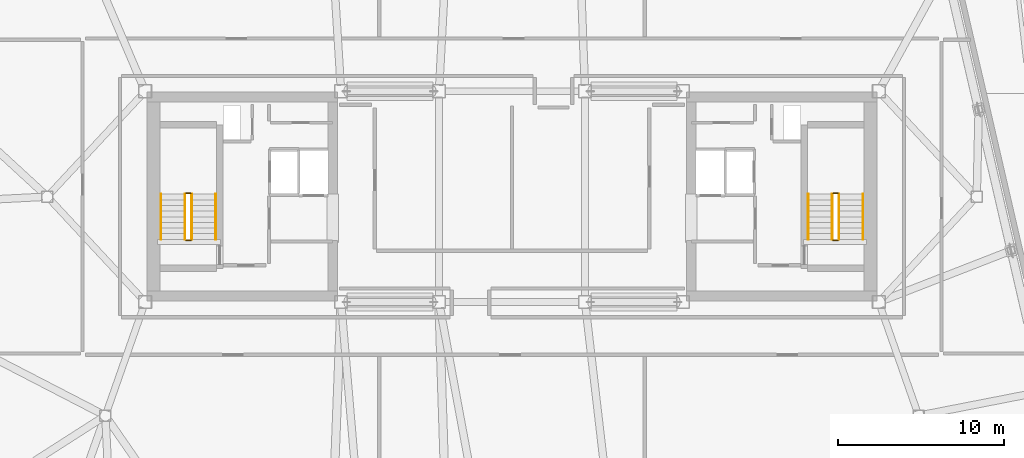
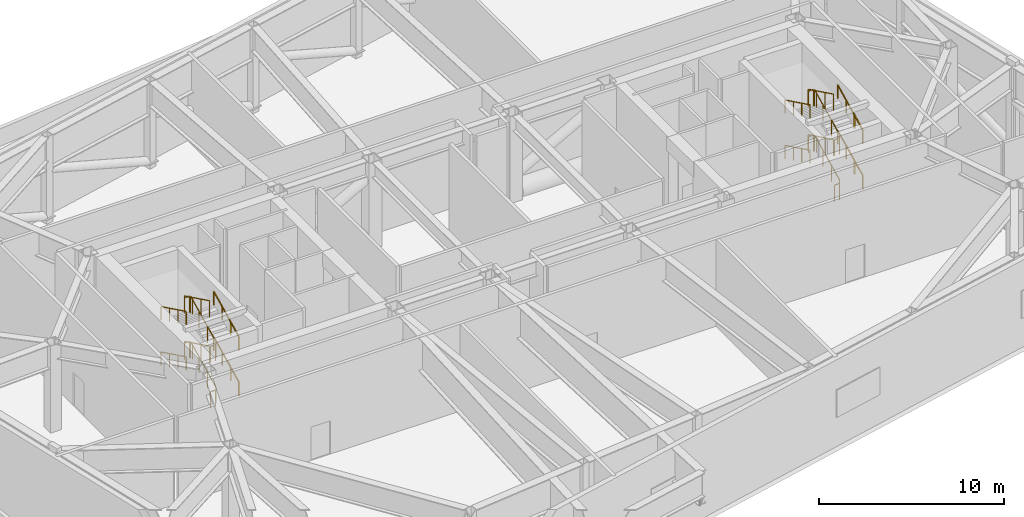
# One storey, part 15 of 15: 24 railings.
"""IFC4 building model written with IfcOpenShell, lengths in metres."""

from ifc_helpers import new_model, si_unit, direction, frame, origin, origin_2d, place, context, subcontext, project, spatial, rectangle, extrude, material, layer, layer_set, type_object, element, save


model = new_model("IFC4")

# Units and contexts
model_context = context("Model", 3, precision=1e-05, world=origin(), true_north=direction((0.0, 1.0)))
body_context = subcontext(model_context, "Body", "Model", "MODEL_VIEW")
ifc_project = project(units=[si_unit("LENGTHUNIT", "METRE"), si_unit("AREAUNIT", "SQUARE_METRE"), si_unit("VOLUMEUNIT", "CUBIC_METRE"), si_unit("PLANEANGLEUNIT", "RADIAN"), si_unit("MASSUNIT", "GRAM", prefix="KILO")], contexts=[model_context])

# Site, building, storey
site_placement = place(None, origin())
site = spatial("IfcSite", under=ifc_project, at=site_placement, CompositionType="ELEMENT")
building_placement = place(site_placement, origin())
building = spatial("IfcBuilding", under=site, at=building_placement, Name="Tavrogorsk Clinical Tower", CompositionType="ELEMENT")
storey_placement = place(building_placement, frame((0.0, 0.0, 271.0)))
storey = spatial("IfcBuildingStorey", under=building, at=storey_placement, Name="L63", CompositionType="ELEMENT", Elevation=271.0)

# Railings
ifc_material_1 = material(Name="Galvanised steel S355 safety stairwell guard", Category="steel")
ifc_layer_1 = layer(ifc_material_1, 0.06005859375)
ifc_layer_set_1 = layer_set([ifc_layer_1], Name="Galvanised steel S355 safety stairwell guard")
railing_type_1 = type_object("IfcRailingType", Name="StairGuard_1150", PredefinedType="GUARDRAIL", material=ifc_layer_set_1)
railing_1_placement = place(storey_placement, frame((-19.300048828125, -2.574951171875, 0.166748046875)))
element("IfcRailing", 1, at=railing_1_placement, inside=storey, type_object=railing_type_1, Name="L63 ST-W stair guard 1", PredefinedType="GUARDRAIL", context=body_context, shape_type="SweptSolid", body=[
    extrude(rectangle(XDim=0.048095703125, YDim=0.048095703125, at=origin_2d()), frame((0.0, 0.0, 1.076171875), z_axis=(0.0, 0.897929466783, 0.4401393787), x_axis=(-1.0, 0.0, 0.0)), (0.0, 0.0, 1.0), 3.029052734375),
    extrude(rectangle(XDim=0.0419921875, YDim=0.0419921875, at=origin_2d()), origin(), (0.0, 0.0, 1.0), 1.052001953125),
    extrude(rectangle(XDim=0.0419921875, YDim=0.0419921875, at=origin_2d()), frame((0.0, 0.90673828125, 0.4443359375)), (0.0, 0.0, 1.0), 1.052001953125),
    extrude(rectangle(XDim=0.0419921875, YDim=0.0419921875, at=origin_2d()), frame((0.0, 1.813232421875, 0.888916015625)), (0.0, 0.0, 1.0), 1.052001953125),
    extrude(rectangle(XDim=0.0419921875, YDim=0.0419921875, at=origin_2d()), frame((0.0, 2.719970703125, 1.333251953125)), (0.0, 0.0, 1.0), 1.052001953125),
])
railing_2_placement = place(storey_placement, frame((-19.35009765625, 0.195068359375, 1.5)))
element("IfcRailing", 2, at=railing_2_placement, inside=storey, type_object=railing_type_1, Name="L63 ST-W stair guard 2", PredefinedType="GUARDRAIL", context=body_context, shape_type="SweptSolid", body=[
    extrude(rectangle(XDim=0.048095703125, YDim=0.048095703125, at=origin_2d()), frame((0.0, 0.0, 1.076171875), z_axis=(-1.0, 0.0, 0.0), x_axis=(0.0, -1.0, 0.0)), (0.0, 0.0, 1.0), 0.2998046875),
    extrude(rectangle(XDim=0.0419921875, YDim=0.0419921875, at=origin_2d()), origin(), (0.0, 0.0, 1.0), 1.052001953125),
    extrude(rectangle(XDim=0.0419921875, YDim=0.0419921875, at=origin_2d()), frame((-0.2998046875, 0.0, 0.0)), (0.0, 0.0, 1.0), 1.052001953125),
])
railing_3_placement = place(storey_placement, frame((-19.699951171875, 0.14501953125, 1.666748046875)))
element("IfcRailing", 3, at=railing_3_placement, inside=storey, type_object=railing_type_1, Name="L63 ST-W stair guard 3", PredefinedType="GUARDRAIL", context=body_context, shape_type="SweptSolid", body=[
    extrude(rectangle(XDim=0.048095703125, YDim=0.048095703125, at=origin_2d()), frame((0.0, 0.0, 1.076171875), z_axis=(0.0, -0.897929466783, 0.4401393787), x_axis=(1.0, 0.0, 0.0)), (0.0, 0.0, 1.0), 3.029052734375),
    extrude(rectangle(XDim=0.0419921875, YDim=0.0419921875, at=origin_2d()), origin(), (0.0, 0.0, 1.0), 1.052001953125),
    extrude(rectangle(XDim=0.0419921875, YDim=0.0419921875, at=origin_2d()), frame((0.0, -0.90673828125, 0.4443359375)), (0.0, 0.0, 1.0), 1.052001953125),
    extrude(rectangle(XDim=0.0419921875, YDim=0.0419921875, at=origin_2d()), frame((0.0, -1.813232421875, 0.888916015625)), (0.0, 0.0, 1.0), 1.052001953125),
    extrude(rectangle(XDim=0.0419921875, YDim=0.0419921875, at=origin_2d()), frame((0.0, -2.719970703125, 1.333251953125)), (0.0, 0.0, 1.0), 1.052001953125),
])
railing_4_placement = place(storey_placement, frame((-19.35009765625, -2.625, 3.0)))
element("IfcRailing", 4, at=railing_4_placement, inside=storey, type_object=railing_type_1, Name="L63 ST-W stair guard 4", PredefinedType="GUARDRAIL", context=body_context, shape_type="SweptSolid", body=[
    extrude(rectangle(XDim=0.048095703125, YDim=0.048095703125, at=origin_2d()), frame((0.0, 0.0, 1.076171875), z_axis=(-1.0, 0.0, 0.0), x_axis=(0.0, -1.0, 0.0)), (0.0, 0.0, 1.0), 0.2998046875),
    extrude(rectangle(XDim=0.0419921875, YDim=0.0419921875, at=origin_2d()), origin(), (0.0, 0.0, 1.0), 1.052001953125),
    extrude(rectangle(XDim=0.0419921875, YDim=0.0419921875, at=origin_2d()), frame((-0.2998046875, 0.0, 0.0)), (0.0, 0.0, 1.0), 1.052001953125),
])
railing_5_placement = place(storey_placement, frame((-19.300048828125, -2.574951171875, 3.166748046875)))
element("IfcRailing", 5, at=railing_5_placement, inside=storey, type_object=railing_type_1, Name="L63 ST-W stair guard 5", PredefinedType="GUARDRAIL", context=body_context, shape_type="SweptSolid", body=[
    extrude(rectangle(XDim=0.048095703125, YDim=0.048095703125, at=origin_2d()), frame((0.0, 0.0, 1.076171875), z_axis=(0.0, 0.897929466783, 0.4401393787), x_axis=(-1.0, 0.0, 0.0)), (0.0, 0.0, 1.0), 3.029052734375),
    extrude(rectangle(XDim=0.0419921875, YDim=0.0419921875, at=origin_2d()), origin(), (0.0, 0.0, 1.0), 1.052001953125),
    extrude(rectangle(XDim=0.0419921875, YDim=0.0419921875, at=origin_2d()), frame((0.0, 0.90673828125, 0.4443359375)), (0.0, 0.0, 1.0), 1.052001953125),
    extrude(rectangle(XDim=0.0419921875, YDim=0.0419921875, at=origin_2d()), frame((0.0, 1.813232421875, 0.888916015625)), (0.0, 0.0, 1.0), 1.052001953125),
    extrude(rectangle(XDim=0.0419921875, YDim=0.0419921875, at=origin_2d()), frame((0.0, 2.719970703125, 1.333251953125)), (0.0, 0.0, 1.0), 1.052001953125),
])
railing_6_placement = place(storey_placement, frame((-19.35009765625, 0.195068359375, 4.5)))
element("IfcRailing", 6, at=railing_6_placement, inside=storey, type_object=railing_type_1, Name="L63 ST-W stair guard 6", PredefinedType="GUARDRAIL", context=body_context, shape_type="SweptSolid", body=[
    extrude(rectangle(XDim=0.048095703125, YDim=0.048095703125, at=origin_2d()), frame((0.0, 0.0, 1.076171875), z_axis=(-1.0, 0.0, 0.0), x_axis=(0.0, -1.0, 0.0)), (0.0, 0.0, 1.0), 0.2998046875),
    extrude(rectangle(XDim=0.0419921875, YDim=0.0419921875, at=origin_2d()), origin(), (0.0, 0.0, 1.0), 1.052001953125),
    extrude(rectangle(XDim=0.0419921875, YDim=0.0419921875, at=origin_2d()), frame((-0.2998046875, 0.0, 0.0)), (0.0, 0.0, 1.0), 1.052001953125),
])
railing_7_placement = place(storey_placement, frame((-19.699951171875, 0.14501953125, 4.666748046875)))
element("IfcRailing", 7, at=railing_7_placement, inside=storey, type_object=railing_type_1, Name="L63 ST-W stair guard 7", PredefinedType="GUARDRAIL", context=body_context, shape_type="SweptSolid", body=[
    extrude(rectangle(XDim=0.048095703125, YDim=0.048095703125, at=origin_2d()), frame((0.0, 0.0, 1.076171875), z_axis=(0.0, -0.897929466783, 0.4401393787), x_axis=(1.0, 0.0, 0.0)), (0.0, 0.0, 1.0), 3.029052734375),
    extrude(rectangle(XDim=0.0419921875, YDim=0.0419921875, at=origin_2d()), origin(), (0.0, 0.0, 1.0), 1.052001953125),
    extrude(rectangle(XDim=0.0419921875, YDim=0.0419921875, at=origin_2d()), frame((0.0, -0.90673828125, 0.4443359375)), (0.0, 0.0, 1.0), 1.052001953125),
    extrude(rectangle(XDim=0.0419921875, YDim=0.0419921875, at=origin_2d()), frame((0.0, -1.813232421875, 0.888916015625)), (0.0, 0.0, 1.0), 1.052001953125),
    extrude(rectangle(XDim=0.0419921875, YDim=0.0419921875, at=origin_2d()), frame((0.0, -2.719970703125, 1.333251953125)), (0.0, 0.0, 1.0), 1.052001953125),
])
railing_8_placement = place(storey_placement, frame((-19.35009765625, -2.625, 0.0)))
element("IfcRailing", 8, at=railing_8_placement, inside=storey, type_object=railing_type_1, Name="L63 ST-W stair guard 8", PredefinedType="GUARDRAIL", context=body_context, shape_type="SweptSolid", body=[
    extrude(rectangle(XDim=0.048095703125, YDim=0.048095703125, at=origin_2d()), frame((0.0, 0.0, 1.076171875), z_axis=(-1.0, 0.0, 0.0), x_axis=(0.0, -1.0, 0.0)), (0.0, 0.0, 1.0), 0.2998046875),
    extrude(rectangle(XDim=0.0419921875, YDim=0.0419921875, at=origin_2d()), origin(), (0.0, 0.0, 1.0), 1.052001953125),
    extrude(rectangle(XDim=0.0419921875, YDim=0.0419921875, at=origin_2d()), frame((-0.2998046875, 0.0, 0.0)), (0.0, 0.0, 1.0), 1.052001953125),
])
railing_9_placement = place(storey_placement, frame((19.699951171875, -2.574951171875, 0.166748046875)))
element("IfcRailing", 9, at=railing_9_placement, inside=storey, type_object=railing_type_1, Name="L63 ST-E stair guard 1", PredefinedType="GUARDRAIL", context=body_context, shape_type="SweptSolid", body=[
    extrude(rectangle(XDim=0.048095703125, YDim=0.048095703125, at=origin_2d()), frame((0.0, 0.0, 1.076171875), z_axis=(0.0, 0.897929466783, 0.4401393787), x_axis=(-1.0, 0.0, 0.0)), (0.0, 0.0, 1.0), 3.029052734375),
    extrude(rectangle(XDim=0.0419921875, YDim=0.0419921875, at=origin_2d()), origin(), (0.0, 0.0, 1.0), 1.052001953125),
    extrude(rectangle(XDim=0.0419921875, YDim=0.0419921875, at=origin_2d()), frame((0.0, 0.90673828125, 0.4443359375)), (0.0, 0.0, 1.0), 1.052001953125),
    extrude(rectangle(XDim=0.0419921875, YDim=0.0419921875, at=origin_2d()), frame((0.0, 1.813232421875, 0.888916015625)), (0.0, 0.0, 1.0), 1.052001953125),
    extrude(rectangle(XDim=0.0419921875, YDim=0.0419921875, at=origin_2d()), frame((0.0, 2.719970703125, 1.333251953125)), (0.0, 0.0, 1.0), 1.052001953125),
])
railing_10_placement = place(storey_placement, frame((19.64990234375, 0.195068359375, 1.5)))
element("IfcRailing", 10, at=railing_10_placement, inside=storey, type_object=railing_type_1, Name="L63 ST-E stair guard 2", PredefinedType="GUARDRAIL", context=body_context, shape_type="SweptSolid", body=[
    extrude(rectangle(XDim=0.048095703125, YDim=0.048095703125, at=origin_2d()), frame((0.0, 0.0, 1.076171875), z_axis=(-1.0, 0.0, 0.0), x_axis=(0.0, -1.0, 0.0)), (0.0, 0.0, 1.0), 0.2998046875),
    extrude(rectangle(XDim=0.0419921875, YDim=0.0419921875, at=origin_2d()), origin(), (0.0, 0.0, 1.0), 1.052001953125),
    extrude(rectangle(XDim=0.0419921875, YDim=0.0419921875, at=origin_2d()), frame((-0.2998046875, 0.0, 0.0)), (0.0, 0.0, 1.0), 1.052001953125),
])
railing_11_placement = place(storey_placement, frame((19.300048828125, 0.14501953125, 1.666748046875)))
element("IfcRailing", 11, at=railing_11_placement, inside=storey, type_object=railing_type_1, Name="L63 ST-E stair guard 3", PredefinedType="GUARDRAIL", context=body_context, shape_type="SweptSolid", body=[
    extrude(rectangle(XDim=0.048095703125, YDim=0.048095703125, at=origin_2d()), frame((0.0, 0.0, 1.076171875), z_axis=(0.0, -0.897929466783, 0.4401393787), x_axis=(1.0, 0.0, 0.0)), (0.0, 0.0, 1.0), 3.029052734375),
    extrude(rectangle(XDim=0.0419921875, YDim=0.0419921875, at=origin_2d()), origin(), (0.0, 0.0, 1.0), 1.052001953125),
    extrude(rectangle(XDim=0.0419921875, YDim=0.0419921875, at=origin_2d()), frame((0.0, -0.90673828125, 0.4443359375)), (0.0, 0.0, 1.0), 1.052001953125),
    extrude(rectangle(XDim=0.0419921875, YDim=0.0419921875, at=origin_2d()), frame((0.0, -1.813232421875, 0.888916015625)), (0.0, 0.0, 1.0), 1.052001953125),
    extrude(rectangle(XDim=0.0419921875, YDim=0.0419921875, at=origin_2d()), frame((0.0, -2.719970703125, 1.333251953125)), (0.0, 0.0, 1.0), 1.052001953125),
])
railing_12_placement = place(storey_placement, frame((19.64990234375, -2.625, 3.0)))
element("IfcRailing", 12, at=railing_12_placement, inside=storey, type_object=railing_type_1, Name="L63 ST-E stair guard 4", PredefinedType="GUARDRAIL", context=body_context, shape_type="SweptSolid", body=[
    extrude(rectangle(XDim=0.048095703125, YDim=0.048095703125, at=origin_2d()), frame((0.0, 0.0, 1.076171875), z_axis=(-1.0, 0.0, 0.0), x_axis=(0.0, -1.0, 0.0)), (0.0, 0.0, 1.0), 0.2998046875),
    extrude(rectangle(XDim=0.0419921875, YDim=0.0419921875, at=origin_2d()), origin(), (0.0, 0.0, 1.0), 1.052001953125),
    extrude(rectangle(XDim=0.0419921875, YDim=0.0419921875, at=origin_2d()), frame((-0.2998046875, 0.0, 0.0)), (0.0, 0.0, 1.0), 1.052001953125),
])
railing_13_placement = place(storey_placement, frame((19.699951171875, -2.574951171875, 3.166748046875)))
element("IfcRailing", 13, at=railing_13_placement, inside=storey, type_object=railing_type_1, Name="L63 ST-E stair guard 5", PredefinedType="GUARDRAIL", context=body_context, shape_type="SweptSolid", body=[
    extrude(rectangle(XDim=0.048095703125, YDim=0.048095703125, at=origin_2d()), frame((0.0, 0.0, 1.076171875), z_axis=(0.0, 0.897929466783, 0.4401393787), x_axis=(-1.0, 0.0, 0.0)), (0.0, 0.0, 1.0), 3.029052734375),
    extrude(rectangle(XDim=0.0419921875, YDim=0.0419921875, at=origin_2d()), origin(), (0.0, 0.0, 1.0), 1.052001953125),
    extrude(rectangle(XDim=0.0419921875, YDim=0.0419921875, at=origin_2d()), frame((0.0, 0.90673828125, 0.4443359375)), (0.0, 0.0, 1.0), 1.052001953125),
    extrude(rectangle(XDim=0.0419921875, YDim=0.0419921875, at=origin_2d()), frame((0.0, 1.813232421875, 0.888916015625)), (0.0, 0.0, 1.0), 1.052001953125),
    extrude(rectangle(XDim=0.0419921875, YDim=0.0419921875, at=origin_2d()), frame((0.0, 2.719970703125, 1.333251953125)), (0.0, 0.0, 1.0), 1.052001953125),
])
railing_14_placement = place(storey_placement, frame((19.64990234375, 0.195068359375, 4.5)))
element("IfcRailing", 14, at=railing_14_placement, inside=storey, type_object=railing_type_1, Name="L63 ST-E stair guard 6", PredefinedType="GUARDRAIL", context=body_context, shape_type="SweptSolid", body=[
    extrude(rectangle(XDim=0.048095703125, YDim=0.048095703125, at=origin_2d()), frame((0.0, 0.0, 1.076171875), z_axis=(-1.0, 0.0, 0.0), x_axis=(0.0, -1.0, 0.0)), (0.0, 0.0, 1.0), 0.2998046875),
    extrude(rectangle(XDim=0.0419921875, YDim=0.0419921875, at=origin_2d()), origin(), (0.0, 0.0, 1.0), 1.052001953125),
    extrude(rectangle(XDim=0.0419921875, YDim=0.0419921875, at=origin_2d()), frame((-0.2998046875, 0.0, 0.0)), (0.0, 0.0, 1.0), 1.052001953125),
])
railing_15_placement = place(storey_placement, frame((19.300048828125, 0.14501953125, 4.666748046875)))
element("IfcRailing", 15, at=railing_15_placement, inside=storey, type_object=railing_type_1, Name="L63 ST-E stair guard 7", PredefinedType="GUARDRAIL", context=body_context, shape_type="SweptSolid", body=[
    extrude(rectangle(XDim=0.048095703125, YDim=0.048095703125, at=origin_2d()), frame((0.0, 0.0, 1.076171875), z_axis=(0.0, -0.897929466783, 0.4401393787), x_axis=(1.0, 0.0, 0.0)), (0.0, 0.0, 1.0), 3.029052734375),
    extrude(rectangle(XDim=0.0419921875, YDim=0.0419921875, at=origin_2d()), origin(), (0.0, 0.0, 1.0), 1.052001953125),
    extrude(rectangle(XDim=0.0419921875, YDim=0.0419921875, at=origin_2d()), frame((0.0, -0.90673828125, 0.4443359375)), (0.0, 0.0, 1.0), 1.052001953125),
    extrude(rectangle(XDim=0.0419921875, YDim=0.0419921875, at=origin_2d()), frame((0.0, -1.813232421875, 0.888916015625)), (0.0, 0.0, 1.0), 1.052001953125),
    extrude(rectangle(XDim=0.0419921875, YDim=0.0419921875, at=origin_2d()), frame((0.0, -2.719970703125, 1.333251953125)), (0.0, 0.0, 1.0), 1.052001953125),
])
railing_16_placement = place(storey_placement, frame((19.64990234375, -2.625, 0.0)))
element("IfcRailing", 16, at=railing_16_placement, inside=storey, type_object=railing_type_1, Name="L63 ST-E stair guard 8", PredefinedType="GUARDRAIL", context=body_context, shape_type="SweptSolid", body=[
    extrude(rectangle(XDim=0.048095703125, YDim=0.048095703125, at=origin_2d()), frame((0.0, 0.0, 1.076171875), z_axis=(-1.0, 0.0, 0.0), x_axis=(0.0, -1.0, 0.0)), (0.0, 0.0, 1.0), 0.2998046875),
    extrude(rectangle(XDim=0.0419921875, YDim=0.0419921875, at=origin_2d()), origin(), (0.0, 0.0, 1.0), 1.052001953125),
    extrude(rectangle(XDim=0.0419921875, YDim=0.0419921875, at=origin_2d()), frame((-0.2998046875, 0.0, 0.0)), (0.0, 0.0, 1.0), 1.052001953125),
])
ifc_material_2 = material(Name="Stainless steel AISI 304 tubular handrail", Category="steel")
ifc_layer_2 = layer(ifc_material_2, 0.050048828125)
ifc_layer_set_2 = layer_set([ifc_layer_2], Name="Stainless steel AISI 304 tubular handrail")
railing_type_2 = type_object("IfcRailingType", Name="StairHandrail_920", PredefinedType="HANDRAIL", material=ifc_layer_set_2)
railing_17_placement = place(storey_placement, frame((-17.85009765625, -2.574951171875, 0.166748046875)))
element("IfcRailing", 17, at=railing_17_placement, inside=storey, type_object=railing_type_2, Name="L63 ST-W stair handrail 1", PredefinedType="HANDRAIL", context=body_context, shape_type="SweptSolid", body=[
    extrude(rectangle(XDim=0.048095703125, YDim=0.048095703125, at=origin_2d()), frame((0.0, 0.0, 0.8759765625), z_axis=(0.0, 0.897929466783, 0.4401393787), x_axis=(-1.0, 0.0, 0.0)), (0.0, 0.0, 1.0), 3.029052734375),
    extrude(rectangle(XDim=0.0419921875, YDim=0.0419921875, at=origin_2d()), origin(), (0.0, 0.0, 1.0), 0.851806640625),
    extrude(rectangle(XDim=0.0419921875, YDim=0.0419921875, at=origin_2d()), frame((0.0, 0.90673828125, 0.4443359375)), (0.0, 0.0, 1.0), 0.851806640625),
    extrude(rectangle(XDim=0.0419921875, YDim=0.0419921875, at=origin_2d()), frame((0.0, 1.813232421875, 0.888916015625)), (0.0, 0.0, 1.0), 0.851806640625),
    extrude(rectangle(XDim=0.0419921875, YDim=0.0419921875, at=origin_2d()), frame((0.0, 2.719970703125, 1.333251953125)), (0.0, 0.0, 1.0), 0.851806640625),
])
railing_18_placement = place(storey_placement, frame((-21.14990234375, 0.14501953125, 1.666748046875)))
element("IfcRailing", 18, at=railing_18_placement, inside=storey, type_object=railing_type_2, Name="L63 ST-W stair handrail 2", PredefinedType="HANDRAIL", context=body_context, shape_type="SweptSolid", body=[
    extrude(rectangle(XDim=0.048095703125, YDim=0.048095703125, at=origin_2d()), frame((0.0, 0.0, 0.8759765625), z_axis=(0.0, -0.897929466783, 0.4401393787), x_axis=(1.0, 0.0, 0.0)), (0.0, 0.0, 1.0), 3.029052734375),
    extrude(rectangle(XDim=0.0419921875, YDim=0.0419921875, at=origin_2d()), origin(), (0.0, 0.0, 1.0), 0.851806640625),
    extrude(rectangle(XDim=0.0419921875, YDim=0.0419921875, at=origin_2d()), frame((0.0, -0.90673828125, 0.4443359375)), (0.0, 0.0, 1.0), 0.851806640625),
    extrude(rectangle(XDim=0.0419921875, YDim=0.0419921875, at=origin_2d()), frame((0.0, -1.813232421875, 0.888916015625)), (0.0, 0.0, 1.0), 0.851806640625),
    extrude(rectangle(XDim=0.0419921875, YDim=0.0419921875, at=origin_2d()), frame((0.0, -2.719970703125, 1.333251953125)), (0.0, 0.0, 1.0), 0.851806640625),
])
railing_19_placement = place(storey_placement, frame((-17.85009765625, -2.574951171875, 3.166748046875)))
element("IfcRailing", 19, at=railing_19_placement, inside=storey, type_object=railing_type_2, Name="L63 ST-W stair handrail 3", PredefinedType="HANDRAIL", context=body_context, shape_type="SweptSolid", body=[
    extrude(rectangle(XDim=0.048095703125, YDim=0.048095703125, at=origin_2d()), frame((0.0, 0.0, 0.8759765625), z_axis=(0.0, 0.897929466783, 0.4401393787), x_axis=(-1.0, 0.0, 0.0)), (0.0, 0.0, 1.0), 3.029052734375),
    extrude(rectangle(XDim=0.0419921875, YDim=0.0419921875, at=origin_2d()), origin(), (0.0, 0.0, 1.0), 0.851806640625),
    extrude(rectangle(XDim=0.0419921875, YDim=0.0419921875, at=origin_2d()), frame((0.0, 0.90673828125, 0.4443359375)), (0.0, 0.0, 1.0), 0.851806640625),
    extrude(rectangle(XDim=0.0419921875, YDim=0.0419921875, at=origin_2d()), frame((0.0, 1.813232421875, 0.888916015625)), (0.0, 0.0, 1.0), 0.851806640625),
    extrude(rectangle(XDim=0.0419921875, YDim=0.0419921875, at=origin_2d()), frame((0.0, 2.719970703125, 1.333251953125)), (0.0, 0.0, 1.0), 0.851806640625),
])
railing_20_placement = place(storey_placement, frame((-21.14990234375, 0.14501953125, 4.666748046875)))
element("IfcRailing", 20, at=railing_20_placement, inside=storey, type_object=railing_type_2, Name="L63 ST-W stair handrail 4", PredefinedType="HANDRAIL", context=body_context, shape_type="SweptSolid", body=[
    extrude(rectangle(XDim=0.048095703125, YDim=0.048095703125, at=origin_2d()), frame((0.0, 0.0, 0.8759765625), z_axis=(0.0, -0.897929466783, 0.4401393787), x_axis=(1.0, 0.0, 0.0)), (0.0, 0.0, 1.0), 3.029052734375),
    extrude(rectangle(XDim=0.0419921875, YDim=0.0419921875, at=origin_2d()), origin(), (0.0, 0.0, 1.0), 0.851806640625),
    extrude(rectangle(XDim=0.0419921875, YDim=0.0419921875, at=origin_2d()), frame((0.0, -0.90673828125, 0.4443359375)), (0.0, 0.0, 1.0), 0.851806640625),
    extrude(rectangle(XDim=0.0419921875, YDim=0.0419921875, at=origin_2d()), frame((0.0, -1.813232421875, 0.888916015625)), (0.0, 0.0, 1.0), 0.851806640625),
    extrude(rectangle(XDim=0.0419921875, YDim=0.0419921875, at=origin_2d()), frame((0.0, -2.719970703125, 1.333251953125)), (0.0, 0.0, 1.0), 0.851806640625),
])
railing_21_placement = place(storey_placement, frame((21.14990234375, -2.574951171875, 0.166748046875)))
element("IfcRailing", 21, at=railing_21_placement, inside=storey, type_object=railing_type_2, Name="L63 ST-E stair handrail 1", PredefinedType="HANDRAIL", context=body_context, shape_type="SweptSolid", body=[
    extrude(rectangle(XDim=0.048095703125, YDim=0.048095703125, at=origin_2d()), frame((0.0, 0.0, 0.8759765625), z_axis=(0.0, 0.897929466783, 0.4401393787), x_axis=(-1.0, 0.0, 0.0)), (0.0, 0.0, 1.0), 3.029052734375),
    extrude(rectangle(XDim=0.0419921875, YDim=0.0419921875, at=origin_2d()), origin(), (0.0, 0.0, 1.0), 0.851806640625),
    extrude(rectangle(XDim=0.0419921875, YDim=0.0419921875, at=origin_2d()), frame((0.0, 0.90673828125, 0.4443359375)), (0.0, 0.0, 1.0), 0.851806640625),
    extrude(rectangle(XDim=0.0419921875, YDim=0.0419921875, at=origin_2d()), frame((0.0, 1.813232421875, 0.888916015625)), (0.0, 0.0, 1.0), 0.851806640625),
    extrude(rectangle(XDim=0.0419921875, YDim=0.0419921875, at=origin_2d()), frame((0.0, 2.719970703125, 1.333251953125)), (0.0, 0.0, 1.0), 0.851806640625),
])
railing_22_placement = place(storey_placement, frame((17.85009765625, 0.14501953125, 1.666748046875)))
element("IfcRailing", 22, at=railing_22_placement, inside=storey, type_object=railing_type_2, Name="L63 ST-E stair handrail 2", PredefinedType="HANDRAIL", context=body_context, shape_type="SweptSolid", body=[
    extrude(rectangle(XDim=0.048095703125, YDim=0.048095703125, at=origin_2d()), frame((0.0, 0.0, 0.8759765625), z_axis=(0.0, -0.897929466783, 0.4401393787), x_axis=(1.0, 0.0, 0.0)), (0.0, 0.0, 1.0), 3.029052734375),
    extrude(rectangle(XDim=0.0419921875, YDim=0.0419921875, at=origin_2d()), origin(), (0.0, 0.0, 1.0), 0.851806640625),
    extrude(rectangle(XDim=0.0419921875, YDim=0.0419921875, at=origin_2d()), frame((0.0, -0.90673828125, 0.4443359375)), (0.0, 0.0, 1.0), 0.851806640625),
    extrude(rectangle(XDim=0.0419921875, YDim=0.0419921875, at=origin_2d()), frame((0.0, -1.813232421875, 0.888916015625)), (0.0, 0.0, 1.0), 0.851806640625),
    extrude(rectangle(XDim=0.0419921875, YDim=0.0419921875, at=origin_2d()), frame((0.0, -2.719970703125, 1.333251953125)), (0.0, 0.0, 1.0), 0.851806640625),
])
railing_23_placement = place(storey_placement, frame((21.14990234375, -2.574951171875, 3.166748046875)))
element("IfcRailing", 23, at=railing_23_placement, inside=storey, type_object=railing_type_2, Name="L63 ST-E stair handrail 3", PredefinedType="HANDRAIL", context=body_context, shape_type="SweptSolid", body=[
    extrude(rectangle(XDim=0.048095703125, YDim=0.048095703125, at=origin_2d()), frame((0.0, 0.0, 0.8759765625), z_axis=(0.0, 0.897929466783, 0.4401393787), x_axis=(-1.0, 0.0, 0.0)), (0.0, 0.0, 1.0), 3.029052734375),
    extrude(rectangle(XDim=0.0419921875, YDim=0.0419921875, at=origin_2d()), origin(), (0.0, 0.0, 1.0), 0.851806640625),
    extrude(rectangle(XDim=0.0419921875, YDim=0.0419921875, at=origin_2d()), frame((0.0, 0.90673828125, 0.4443359375)), (0.0, 0.0, 1.0), 0.851806640625),
    extrude(rectangle(XDim=0.0419921875, YDim=0.0419921875, at=origin_2d()), frame((0.0, 1.813232421875, 0.888916015625)), (0.0, 0.0, 1.0), 0.851806640625),
    extrude(rectangle(XDim=0.0419921875, YDim=0.0419921875, at=origin_2d()), frame((0.0, 2.719970703125, 1.333251953125)), (0.0, 0.0, 1.0), 0.851806640625),
])
railing_24_placement = place(storey_placement, frame((17.85009765625, 0.14501953125, 4.666748046875)))
element("IfcRailing", 24, at=railing_24_placement, inside=storey, type_object=railing_type_2, Name="L63 ST-E stair handrail 4", PredefinedType="HANDRAIL", context=body_context, shape_type="SweptSolid", body=[
    extrude(rectangle(XDim=0.048095703125, YDim=0.048095703125, at=origin_2d()), frame((0.0, 0.0, 0.8759765625), z_axis=(0.0, -0.897929466783, 0.4401393787), x_axis=(1.0, 0.0, 0.0)), (0.0, 0.0, 1.0), 3.029052734375),
    extrude(rectangle(XDim=0.0419921875, YDim=0.0419921875, at=origin_2d()), origin(), (0.0, 0.0, 1.0), 0.851806640625),
    extrude(rectangle(XDim=0.0419921875, YDim=0.0419921875, at=origin_2d()), frame((0.0, -0.90673828125, 0.4443359375)), (0.0, 0.0, 1.0), 0.851806640625),
    extrude(rectangle(XDim=0.0419921875, YDim=0.0419921875, at=origin_2d()), frame((0.0, -1.813232421875, 0.888916015625)), (0.0, 0.0, 1.0), 0.851806640625),
    extrude(rectangle(XDim=0.0419921875, YDim=0.0419921875, at=origin_2d()), frame((0.0, -2.719970703125, 1.333251953125)), (0.0, 0.0, 1.0), 0.851806640625),
])

save(model, "model.ifc")
